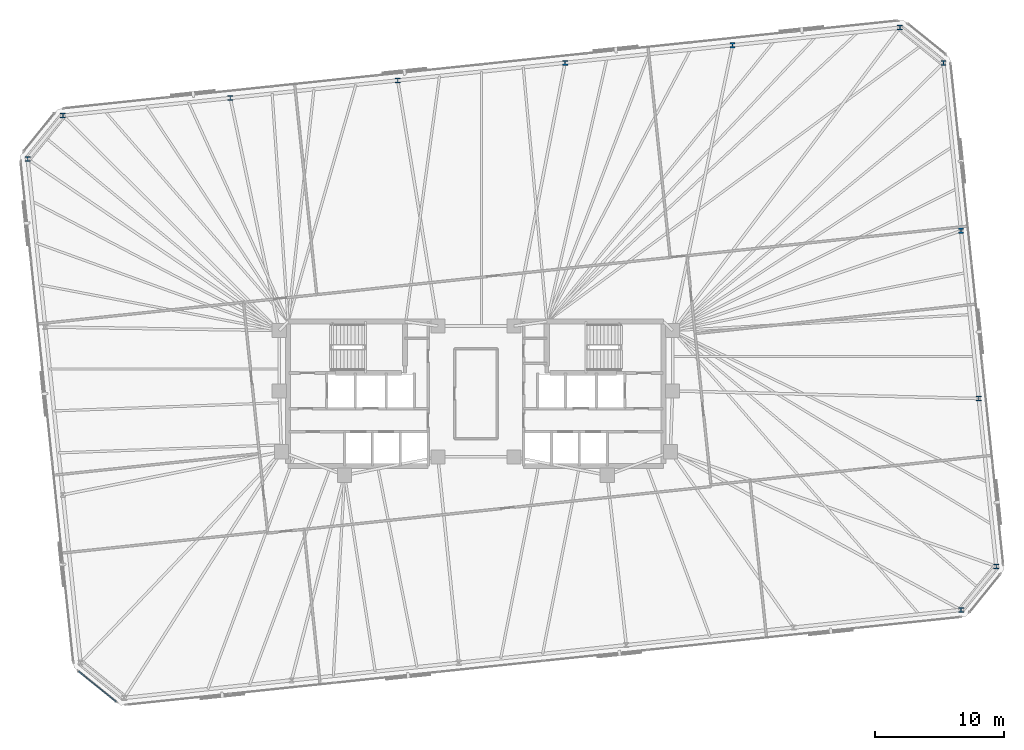
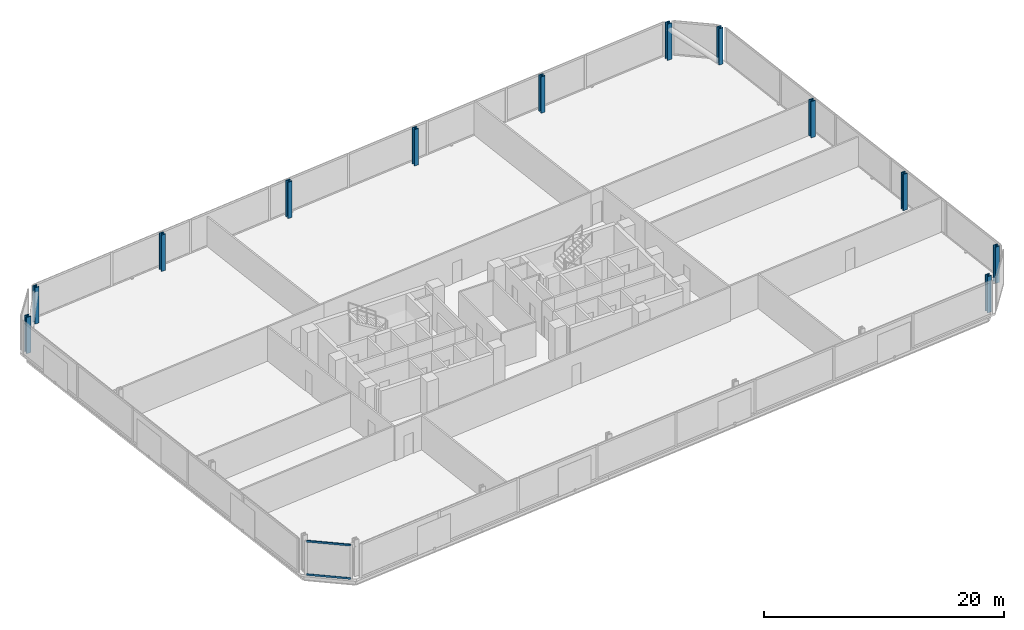
# One storey, part 5 of 18: 12 columns, 2 members, 1 element without a shape of its own.
"""IFC4 building model written with IfcOpenShell, lengths in metres."""

from ifc_helpers import new_model, si_unit, direction, frame, origin, origin_2d, place, context, subcontext, project, spatial, rectangle, i_section, extrude, material, material_profile, profile_set, type_object, element, aggregate, save


model = new_model("IFC4")

# Units and contexts
model_context = context("Model", 3, precision=1e-05, world=origin(), true_north=direction((0.0, 1.0)))
body_context = subcontext(model_context, "Body", "Model", "MODEL_VIEW")
ifc_project = project(units=[si_unit("LENGTHUNIT", "METRE"), si_unit("AREAUNIT", "SQUARE_METRE"), si_unit("VOLUMEUNIT", "CUBIC_METRE"), si_unit("PLANEANGLEUNIT", "RADIAN"), si_unit("MASSUNIT", "GRAM", prefix="KILO")], contexts=[model_context])

# Site, building, storey
site_placement = place(None, origin())
site = spatial("IfcSite", under=ifc_project, at=site_placement, CompositionType="ELEMENT")
building_placement = place(site_placement, origin())
building = spatial("IfcBuilding", under=site, at=building_placement, Name="Menara Jurai Vektor", CompositionType="ELEMENT")
storey_placement = place(building_placement, frame((0.0, 0.0, 135.5)))
storey = spatial("IfcBuildingStorey", under=building, at=storey_placement, Name="L34", CompositionType="ELEMENT", Elevation=135.5)

# Columns
ifc_material_1 = material(Name="Steel S460", Category="steel")
ifc_material_profile_1 = material_profile(ifc_material_1, i_section(OverallWidth=0.4130859375, OverallDepth=0.39794921875, WebThickness=0.055908203125, FlangeThickness=0.089111328125, FilletRadius=0.014892578125, at=origin_2d()), Name="HD 400x744")
ifc_profile_set_1 = profile_set([ifc_material_profile_1], Name="Steel S460")
column_type = type_object("IfcColumnType", Name="STR-EXO-BLK2", PredefinedType="COLUMN", material=ifc_profile_set_1)
for number, where, z_axis, x_axis, name in (
    (1, (37.621826171875, -16.76513671875, 0.0), (0.0, 0.0, 1.0), (1.0, 0.0, 0.0), "Exoskeleton Column BLK2-S6 L34"),
    (2, (40.356201171875, -13.388671875, 0.0), (0.0, 0.0, 1.0), (1.0, 0.0, 0.0), "Exoskeleton Column BLK2-E1 L34"),
    (3, (38.98828125, -0.375, 0.0), (0.0, 0.0, 1.0), (1.0, 0.0, 0.0), "Exoskeleton Column BLK2-E2 L34"),
    (4, (37.62060546875, 12.638427734375, 0.0), (0.0, 0.0, 1.0), (1.0, 0.0, 0.0), "Exoskeleton Column BLK2-E3 L34"),
    (5, (36.252685546875, 25.65185546875, 0.0), (0.0, 0.0, 1.0), (1.0, 0.0, 0.0), "Exoskeleton Column BLK2-E4 L34"),
    (6, (32.876220703125, 28.38623046875, 0.0), (0.0, 0.0, 1.0), (1.0, 0.0, 0.0), "Exoskeleton Column BLK2-N1 L34"),
    (7, (19.896728515625, 27.02197265625, 0.0), (0.0, 0.0, 1.0), (1.0, 0.0, 0.0), "Exoskeleton Column BLK2-N2 L34"),
    (8, (6.9169921875, 25.65771484375, 0.0), (0.0, 0.0, 1.0), (1.0, 0.0, 0.0), "Exoskeleton Column BLK2-N3 L34"),
    (9, (-6.0625, 24.29345703125, 0.0), (0.0, 0.0, 1.0), (1.0, 0.0, 0.0), "Exoskeleton Column BLK2-N4 L34"),
    (10, (-19.042236328125, 22.929443359375, 0.0), (0.0, 0.0, 1.0), (1.0, 0.0, 0.0), "Exoskeleton Column BLK2-N5 L34"),
    (11, (-32.02197265625, 21.565185546875, 0.0), (0.0, 0.0, 1.0), (1.0, 0.0, 0.0), "Exoskeleton Column BLK2-N6 L34"),
    (12, (-34.756103515625, 18.188720703125, 0.0), (0.0, 0.0, 1.0), (1.0, 0.0, 0.0), "Exoskeleton Column BLK2-W1 L34"),
):
    element("IfcColumn", number, at=place(storey_placement, frame(where, z_axis=z_axis, x_axis=x_axis)), inside=storey, type_object=column_type, Name=name, PredefinedType="COLUMN", context=body_context, shape_type="SweptSolid", body=[
        extrude(i_section(OverallWidth=0.4130859375, OverallDepth=0.39794921875, WebThickness=0.055908203125, FlangeThickness=0.089111328125, FilletRadius=0.014892578125, at=origin_2d()), origin(), (0.0, 0.0, 1.0), 3.699951171875),
    ])

# Curtain wall, members
ifc_material_2 = material(Name="Anodised Pale Aluminium & Low-E Double Glazing", Category="aluminium")
curtain_wall_type = type_object("IfcCurtainWallType", Name="CW-BLK2", PredefinedType="NOTDEFINED", material=ifc_material_2)
curtain_wall_placement = place(storey_placement, origin())
curtain_wall = element("IfcCurtainWall", 13, at=curtain_wall_placement, inside=storey, type_object=curtain_wall_type, Name="Unitised Curtain Wall L34 F08", PredefinedType="NOTDEFINED")
ifc_material_3 = material(Name="Anodised Pale Aluminium Transom", Category="aluminium")
ifc_material_profile_2 = material_profile(ifc_material_3, rectangle(XDim=0.090087890625, YDim=0.18505859375, at=origin_2d()), Name="ALU TRN 90x185")
ifc_profile_set_2 = profile_set([ifc_material_profile_2], Name="Anodised Pale Aluminium Transom")
member_type = type_object("IfcMemberType", Name="CW-BLK2-TRN", PredefinedType="USERDEFINED", material=ifc_profile_set_2)
member_1_placement = place(storey_placement, frame((-30.80078125, -21.525634765625, 0.044921875), z_axis=(0.777128916205, -0.6293414396, 0.0), x_axis=(0.6293414396, 0.777128916205, 0.0)))
member_1 = element("IfcMember", 14, at=member_1_placement, type_object=member_type, Name="CW-02 transom 1.1", ObjectType="TRANSOM", PredefinedType="USERDEFINED", context=body_context, shape_type="SweptSolid", body=[
    extrude(rectangle(XDim=0.090087890625, YDim=0.18505859375, at=origin_2d()), origin(), (0.0, 0.0, 1.0), 3.726806640625),
])
member_2_placement = place(storey_placement, frame((-30.80078125, -21.525634765625, 3.429931640625), z_axis=(0.777128916205, -0.6293414396, 0.0), x_axis=(0.6293414396, 0.777128916205, 0.0)))
member_2 = element("IfcMember", 15, at=member_2_placement, type_object=member_type, Name="CW-02 transom 1.2", ObjectType="TRANSOM", PredefinedType="USERDEFINED", context=body_context, shape_type="SweptSolid", body=[
    extrude(rectangle(XDim=0.090087890625, YDim=0.18505859375, at=origin_2d()), origin(), (0.0, 0.0, 1.0), 3.726806640625),
])
aggregate(curtain_wall, [member_1, member_2])

save(model, "model.ifc")
